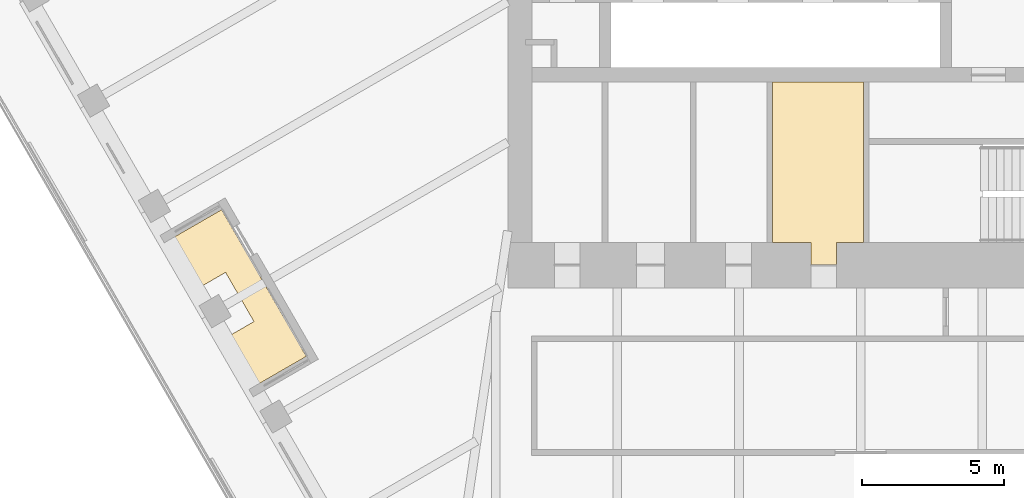
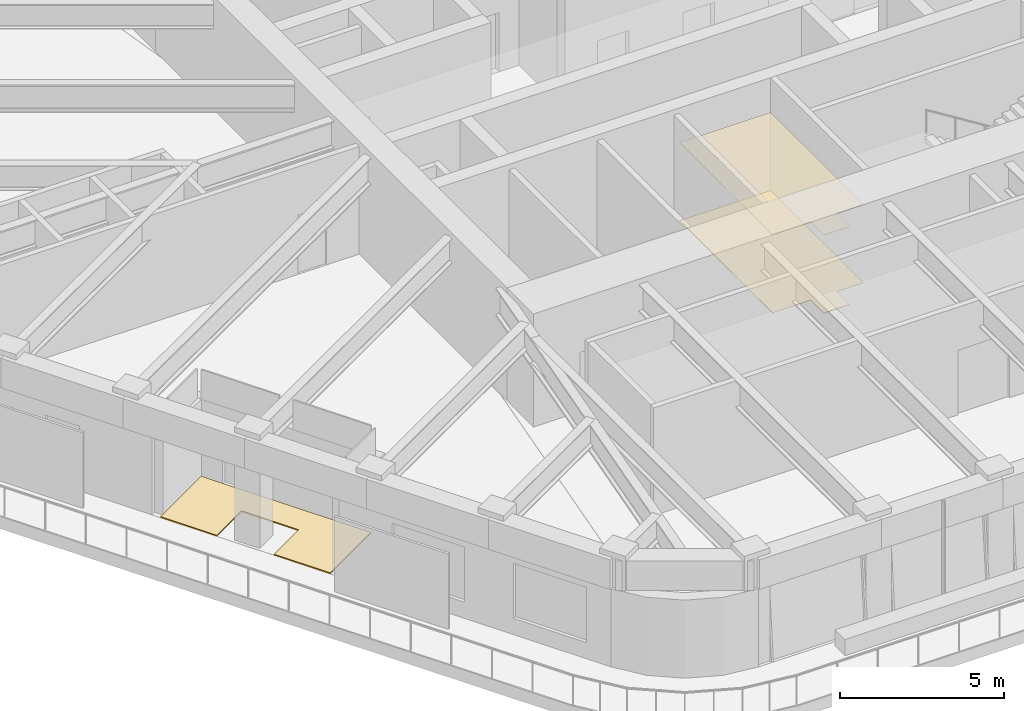
# One storey, part 17 of 19: 3 coverings.
"""IFC4 building model written with IfcOpenShell, lengths in metres."""

from ifc_helpers import new_model, si_unit, direction, frame, origin, place, context, subcontext, project, spatial, polyline, outline, extrude, material, layer, layer_set, type_object, element, save


model = new_model("IFC4")

# Units and contexts
model_context = context("Model", 3, precision=1e-05, world=origin(), true_north=direction((0.0, 1.0)))
body_context = subcontext(model_context, "Body", "Model", "MODEL_VIEW")
ifc_project = project(units=[si_unit("LENGTHUNIT", "METRE"), si_unit("AREAUNIT", "SQUARE_METRE"), si_unit("VOLUMEUNIT", "CUBIC_METRE"), si_unit("PLANEANGLEUNIT", "RADIAN"), si_unit("MASSUNIT", "GRAM", prefix="KILO")], contexts=[model_context])

# Site, building, storey
site_placement = place(None, origin())
site = spatial("IfcSite", under=ifc_project, at=site_placement, CompositionType="ELEMENT")
building_placement = place(site_placement, origin())
building = spatial("IfcBuilding", under=site, at=building_placement, Name="Tarfa Lantern Tower", CompositionType="ELEMENT")
storey_placement = place(building_placement, frame((0.0, 0.0, 361.89990234375)))
storey = spatial("IfcBuildingStorey", under=building, at=storey_placement, Name="L82", CompositionType="ELEMENT", Elevation=361.89990234375)

# Coverings
ifc_material_1 = material(Name="Moisture-resistant plasterboard", Category="finish")
ifc_layer_1 = layer(ifc_material_1, 0.014892578125)
ifc_layer_set_1 = layer_set([ifc_layer_1], Name="CL2 MOISTURE-RESISTANT PLASTERBOARD CEILING 15")
covering_type_1 = type_object("IfcCoveringType", Name="CL2 MOISTURE-RESISTANT PLASTERBOARD CEILING 15", PredefinedType="CEILING", material=ifc_layer_set_1)
covering_1_placement = place(storey_placement, frame((0.0, 0.0, 2.900146484375)))
element("IfcCovering", 1, at=covering_1_placement, inside=storey, type_object=covering_type_1, Name="Ceiling L82-13", PredefinedType="CEILING", context=body_context, shape_type="SweptSolid", body=[
    extrude(outline(polyline([(-0.85009765625, -10.699951171875), (0.10009765625, -10.699951171875), (0.10009765625, -5.050048828125), (-3.10009765625, -5.050048828125), (-3.10009765625, -10.699951171875), (-1.75, -10.699951171875), (-1.75, -11.5), (-0.85009765625, -11.5), (-0.85009765625, -10.699951171875)])), origin(), (0.0, 0.0, 1.0), 0.014892578125),
])
ifc_material_2 = material(Name="Porcelain floor tile", Category="finish")
ifc_layer_2 = layer(ifc_material_2, 0.011962890625)
ifc_layer_set_2 = layer_set([ifc_layer_2], Name="FL3 CERAMIC TILE 12")
covering_type_2 = type_object("IfcCoveringType", Name="FL3 CERAMIC TILE 12", PredefinedType="FLOORING", material=ifc_layer_set_2)
covering_2_placement = place(storey_placement, origin())
element("IfcCovering", 2, at=covering_2_placement, inside=storey, type_object=covering_type_2, Name="Floor finish L82-13", PredefinedType="FLOORING", context=body_context, shape_type="SweptSolid", body=[
    extrude(outline(polyline([(-0.85009765625, -10.699951171875), (0.10009765625, -10.699951171875), (0.10009765625, -5.050048828125), (-3.10009765625, -5.050048828125), (-3.10009765625, -10.699951171875), (-1.75, -10.699951171875), (-1.75, -11.5), (-0.85009765625, -11.5), (-0.85009765625, -10.699951171875)])), origin(), (0.0, 0.0, 1.0), 0.01220703125),
])
ifc_material_3 = material(Name="Porcelain pavers on pedestals", Category="ceramic")
ifc_layer_3 = layer(ifc_material_3, 0.0400390625)
ifc_layer_set_3 = layer_set([ifc_layer_3], Name="LP1 LOGGIA PAVING 40")
covering_type_3 = type_object("IfcCoveringType", Name="LP1 LOGGIA PAVING 40", PredefinedType="FLOORING", material=ifc_layer_set_3)
covering_3_placement = place(storey_placement, origin())
element("IfcCovering", 3, at=covering_3_placement, inside=storey, type_object=covering_type_3, Name="Terrace paving SW", PredefinedType="FLOORING", context=body_context, shape_type="SweptSolid", body=[
    extrude(outline(polyline([(-24.6572265625, -10.79248046875), (-22.509521484375, -9.552490234375), (-19.52734375, -14.717529296875), (-21.67529296875, -15.95751953125), (-22.666259765625, -14.240966796875), (-21.3671875, -13.490966796875), (-22.3671875, -11.759033203125), (-23.666259765625, -12.509033203125), (-24.6572265625, -10.79248046875)])), origin(), (0.0, 0.0, 1.0), 0.0400390625),
])

save(model, "model.ifc")
